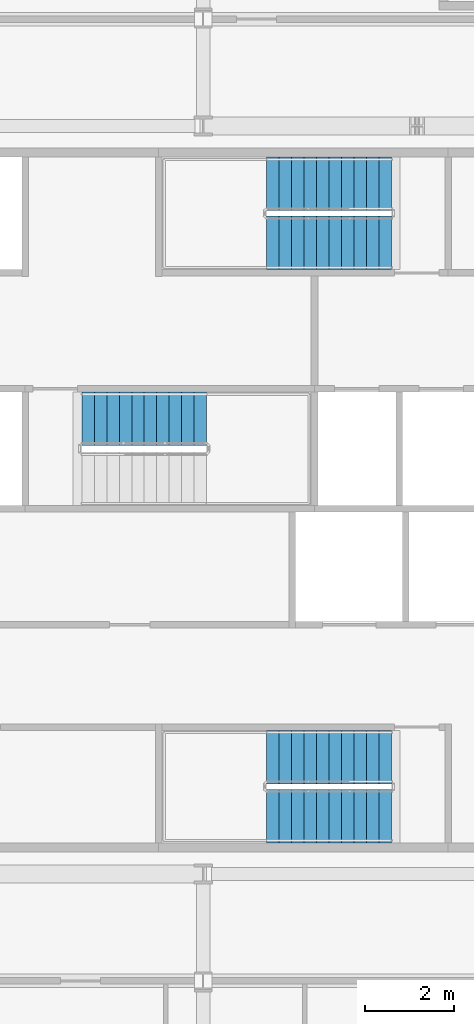
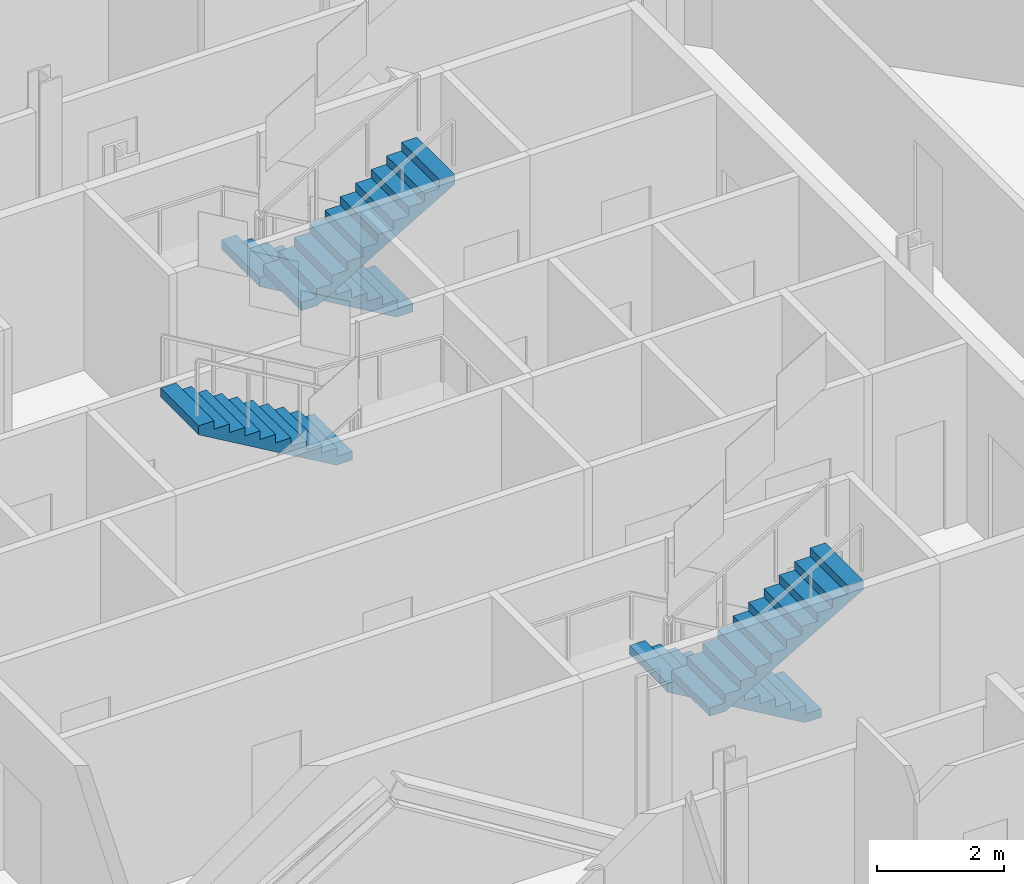
# One storey, part 14 of 21: 5 stair flights, 3 elements without a shape of their own.
"""IFC4 building model written with IfcOpenShell, lengths in metres."""

from ifc_helpers import new_model, si_unit, direction, frame, origin, place, context, subcontext, project, spatial, polyline, outline, extrude, material, type_object, element, aggregate, save


model = new_model("IFC4")

# Units and contexts
model_context = context("Model", 3, precision=1e-05, world=origin(), true_north=direction((0.0, 1.0)))
body_context = subcontext(model_context, "Body", "Model", "MODEL_VIEW")
ifc_project = project(units=[si_unit("LENGTHUNIT", "METRE"), si_unit("AREAUNIT", "SQUARE_METRE"), si_unit("VOLUMEUNIT", "CUBIC_METRE"), si_unit("PLANEANGLEUNIT", "RADIAN"), si_unit("MASSUNIT", "GRAM", prefix="KILO")], contexts=[model_context])

# Site, building, storey
site_placement = place(None, origin())
site = spatial("IfcSite", under=ifc_project, at=site_placement, CompositionType="ELEMENT")
building_placement = place(site_placement, origin())
building = spatial("IfcBuilding", under=site, at=building_placement, Name="Cairn Pilgrim Tower", CompositionType="ELEMENT")
storey_placement = place(building_placement, frame((0.0, 0.0, 154.199951171875)))
storey = spatial("IfcBuildingStorey", under=building, at=storey_placement, Name="L38", CompositionType="ELEMENT", Elevation=154.199951171875)

# Stair, stair flights
ifc_material = material(Name="Concrete C32/40", Category="concrete")
stair_type = type_object("IfcStairType", Name="EXIT STAIR 1200", PredefinedType="HALF_TURN_STAIR", material=ifc_material)
stair_1_placement = place(storey_placement, origin())
stair_1 = element("IfcStair", 1, at=stair_1_placement, inside=storey, type_object=stair_type, Name="L38 Exit Stair A", PredefinedType="HALF_TURN_STAIR")
stair_flight_type = type_object("IfcStairFlightType", Name="STAIR FLIGHT 1200", PredefinedType="STRAIGHT", material=ifc_material)
stair_flight_1_placement = place(storey_placement, frame((11.425048828125, -3.375, 0.0), z_axis=(0.0, 0.0, 1.0), x_axis=(-1.0, 0.0, 0.0)))
stair_flight_1 = element("IfcStairFlight", 2, at=stair_flight_1_placement, type_object=stair_flight_type, Name="ST-A flight 1", NumberOfRisers=11, NumberOfTreads=10, PredefinedType="STRAIGHT", RiserHeight=0.163636364, TreadLength=0.28, context=body_context, shape_type="SweptSolid", body=[
    extrude(outline(polyline([(0.0, 0.0), (0.0, 0.16357421875), (0.280029296875, 0.16357421875), (0.280029296875, 0.327392578125), (0.56005859375, 0.327392578125), (0.56005859375, 0.490966796875), (0.840087890625, 0.490966796875), (0.840087890625, 0.654541015625), (1.1201171875, 0.654541015625), (1.1201171875, 0.818115234375), (1.39990234375, 0.818115234375), (1.39990234375, 0.98193359375), (1.679931640625, 0.98193359375), (1.679931640625, 1.1455078125), (1.9599609375, 1.1455078125), (1.9599609375, 1.30908203125), (2.239990234375, 1.30908203125), (2.239990234375, 1.47265625), (2.52001953125, 1.47265625), (2.52001953125, 1.636474609375), (2.800048828125, 1.636474609375), (2.800048828125, 1.800048828125), (2.800048828125, 1.462646484375), (0.297119140625, 0.0), (0.0, 0.0)])), frame((0.0, 0.60009765625, 0.0), z_axis=(0.0, -1.0, 0.0), x_axis=(1.0, 0.0, 0.0)), (0.0, 0.0, 1.0), 1.199951171875),
])
stair_flight_2_placement = place(storey_placement, frame((8.625, -4.699951171875, 1.800048828125), z_axis=(0.0, 0.0, 1.0), x_axis=(1.0, 0.0, 0.0)))
stair_flight_2 = element("IfcStairFlight", 3, at=stair_flight_2_placement, type_object=stair_flight_type, Name="ST-A flight 2", NumberOfRisers=11, NumberOfTreads=10, PredefinedType="STRAIGHT", RiserHeight=0.163636364, TreadLength=0.28, context=body_context, shape_type="SweptSolid", body=[
    extrude(outline(polyline([(0.0, 0.0), (0.0, 0.16357421875), (0.280029296875, 0.16357421875), (0.280029296875, 0.327392578125), (0.56005859375, 0.327392578125), (0.56005859375, 0.490966796875), (0.840087890625, 0.490966796875), (0.840087890625, 0.654541015625), (1.1201171875, 0.654541015625), (1.1201171875, 0.818115234375), (1.39990234375, 0.818115234375), (1.39990234375, 0.98193359375), (1.679931640625, 0.98193359375), (1.679931640625, 1.1455078125), (1.9599609375, 1.1455078125), (1.9599609375, 1.30908203125), (2.239990234375, 1.30908203125), (2.239990234375, 1.47265625), (2.52001953125, 1.47265625), (2.52001953125, 1.636474609375), (2.800048828125, 1.636474609375), (2.800048828125, 1.800048828125), (2.800048828125, 1.462646484375), (0.297119140625, 0.0), (0.0, 0.0)])), frame((0.0, 0.60009765625, 0.0), z_axis=(0.0, -1.0, 0.0), x_axis=(1.0, 0.0, 0.0)), (0.0, 0.0, 1.0), 1.199951171875),
])
aggregate(stair_1, [stair_flight_1, stair_flight_2])

# Stair, stair flight
stair_2_placement = place(storey_placement, origin())
stair_2 = element("IfcStair", 4, at=stair_2_placement, inside=storey, type_object=stair_type, Name="L38 Exit Stair B", PredefinedType="HALF_TURN_STAIR")
stair_flight_3_placement = place(storey_placement, frame((7.27490234375, 4.22509765625, 1.800048828125), z_axis=(0.0, 0.0, 1.0), x_axis=(-1.0, 0.0, 0.0)))
stair_flight_3 = element("IfcStairFlight", 5, at=stair_flight_3_placement, type_object=stair_flight_type, Name="ST-B flight 2", NumberOfRisers=11, NumberOfTreads=10, PredefinedType="STRAIGHT", RiserHeight=0.163636364, TreadLength=0.28, context=body_context, shape_type="SweptSolid", body=[
    extrude(outline(polyline([(0.0, 0.0), (0.0, 0.16357421875), (0.280029296875, 0.16357421875), (0.280029296875, 0.327392578125), (0.56005859375, 0.327392578125), (0.56005859375, 0.490966796875), (0.840087890625, 0.490966796875), (0.840087890625, 0.654541015625), (1.1201171875, 0.654541015625), (1.1201171875, 0.818115234375), (1.39990234375, 0.818115234375), (1.39990234375, 0.98193359375), (1.679931640625, 0.98193359375), (1.679931640625, 1.1455078125), (1.9599609375, 1.1455078125), (1.9599609375, 1.30908203125), (2.239990234375, 1.30908203125), (2.239990234375, 1.47265625), (2.52001953125, 1.47265625), (2.52001953125, 1.636474609375), (2.800048828125, 1.636474609375), (2.800048828125, 1.800048828125), (2.800048828125, 1.462646484375), (0.297119140625, 0.0), (0.0, 0.0)])), frame((0.0, 0.60009765625, 0.0), z_axis=(0.0, -1.0, 0.0), x_axis=(1.0, 0.0, 0.0)), (0.0, 0.0, 1.0), 1.199951171875),
])
aggregate(stair_2, [stair_flight_3])

# Stair, stair flights
stair_3_placement = place(storey_placement, origin())
stair_3 = element("IfcStair", 6, at=stair_3_placement, inside=storey, type_object=stair_type, Name="L38 Exit Stair C", PredefinedType="HALF_TURN_STAIR")
stair_flight_4_placement = place(storey_placement, frame((11.425048828125, 9.5, 0.0), z_axis=(0.0, 0.0, 1.0), x_axis=(-1.0, 0.0, 0.0)))
stair_flight_4 = element("IfcStairFlight", 7, at=stair_flight_4_placement, type_object=stair_flight_type, Name="ST-C flight 1", NumberOfRisers=11, NumberOfTreads=10, PredefinedType="STRAIGHT", RiserHeight=0.163636364, TreadLength=0.28, context=body_context, shape_type="SweptSolid", body=[
    extrude(outline(polyline([(0.0, 0.0), (0.0, 0.16357421875), (0.280029296875, 0.16357421875), (0.280029296875, 0.327392578125), (0.56005859375, 0.327392578125), (0.56005859375, 0.490966796875), (0.840087890625, 0.490966796875), (0.840087890625, 0.654541015625), (1.1201171875, 0.654541015625), (1.1201171875, 0.818115234375), (1.39990234375, 0.818115234375), (1.39990234375, 0.98193359375), (1.679931640625, 0.98193359375), (1.679931640625, 1.1455078125), (1.9599609375, 1.1455078125), (1.9599609375, 1.30908203125), (2.239990234375, 1.30908203125), (2.239990234375, 1.47265625), (2.52001953125, 1.47265625), (2.52001953125, 1.636474609375), (2.800048828125, 1.636474609375), (2.800048828125, 1.800048828125), (2.800048828125, 1.462646484375), (0.297119140625, 0.0), (0.0, 0.0)])), frame((0.0, 0.60009765625, 0.0), z_axis=(0.0, -1.0, 0.0), x_axis=(1.0, 0.0, 0.0)), (0.0, 0.0, 1.0), 1.199951171875),
])
stair_flight_5_placement = place(storey_placement, frame((8.625, 8.175048828125, 1.800048828125), z_axis=(0.0, 0.0, 1.0), x_axis=(1.0, 0.0, 0.0)))
stair_flight_5 = element("IfcStairFlight", 8, at=stair_flight_5_placement, type_object=stair_flight_type, Name="ST-C flight 2", NumberOfRisers=11, NumberOfTreads=10, PredefinedType="STRAIGHT", RiserHeight=0.163636364, TreadLength=0.28, context=body_context, shape_type="SweptSolid", body=[
    extrude(outline(polyline([(0.0, 0.0), (0.0, 0.16357421875), (0.280029296875, 0.16357421875), (0.280029296875, 0.327392578125), (0.56005859375, 0.327392578125), (0.56005859375, 0.490966796875), (0.840087890625, 0.490966796875), (0.840087890625, 0.654541015625), (1.1201171875, 0.654541015625), (1.1201171875, 0.818115234375), (1.39990234375, 0.818115234375), (1.39990234375, 0.98193359375), (1.679931640625, 0.98193359375), (1.679931640625, 1.1455078125), (1.9599609375, 1.1455078125), (1.9599609375, 1.30908203125), (2.239990234375, 1.30908203125), (2.239990234375, 1.47265625), (2.52001953125, 1.47265625), (2.52001953125, 1.636474609375), (2.800048828125, 1.636474609375), (2.800048828125, 1.800048828125), (2.800048828125, 1.462646484375), (0.297119140625, 0.0), (0.0, 0.0)])), frame((0.0, 0.60009765625, 0.0), z_axis=(0.0, -1.0, 0.0), x_axis=(1.0, 0.0, 0.0)), (0.0, 0.0, 1.0), 1.199951171875),
])
aggregate(stair_3, [stair_flight_4, stair_flight_5])

save(model, "model.ifc")
